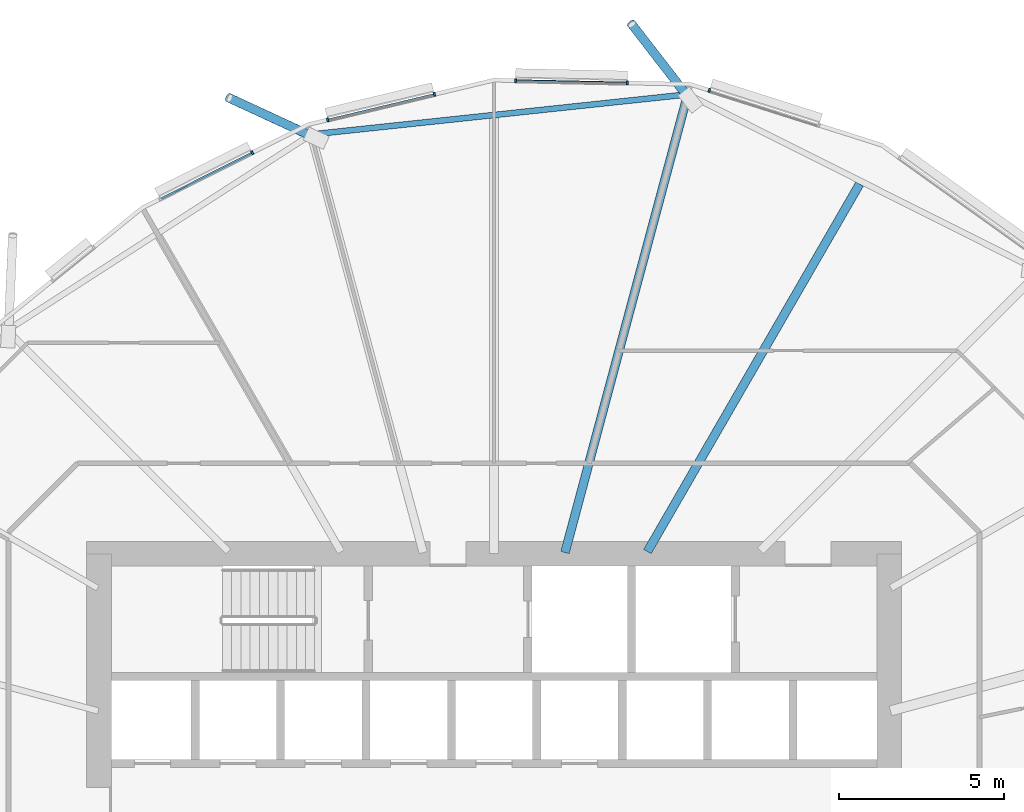
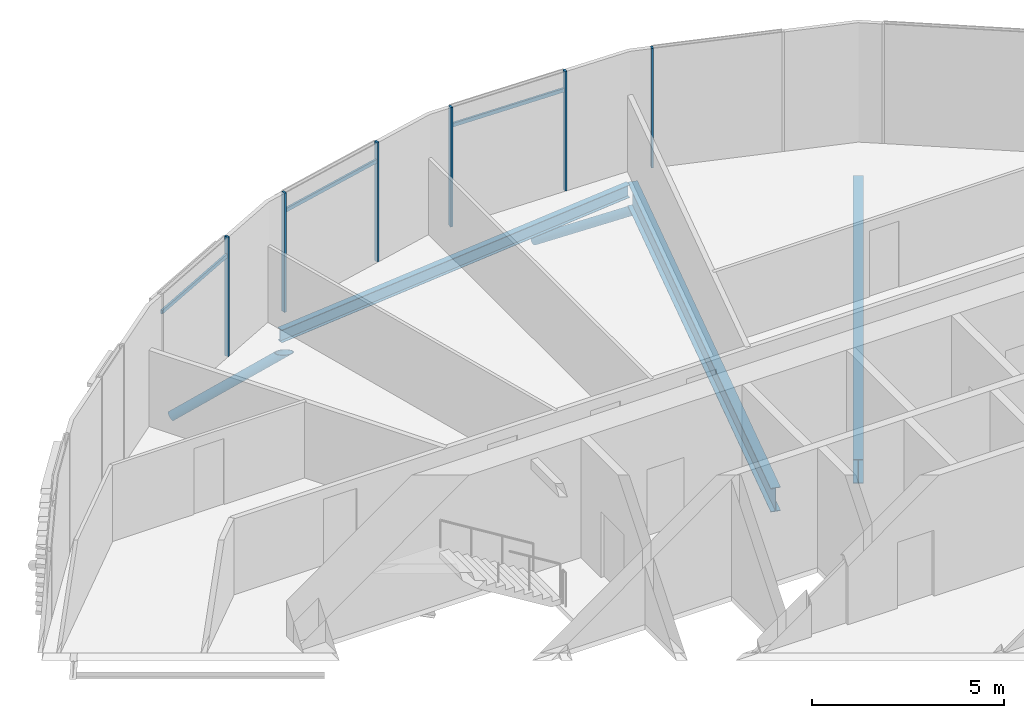
# One storey, part 18 of 42: 11 members, 3 beams, 1 element without a shape of its own.
"""IFC4 building model written with IfcOpenShell, lengths in metres."""

from ifc_helpers import new_model, si_unit, direction, frame, origin, origin_2d, place, context, subcontext, project, spatial, rectangle, hollow_circle, i_section, extrude, clip, halfspace, material, material_profile, profile_set, type_object, element, aggregate, save


model = new_model("IFC4")

# Units and contexts
model_context = context("Model", 3, precision=1e-05, world=origin(), true_north=direction((0.0, 1.0)))
body_context = subcontext(model_context, "Body", "Model", "MODEL_VIEW")
ifc_project = project(units=[si_unit("LENGTHUNIT", "METRE"), si_unit("AREAUNIT", "SQUARE_METRE"), si_unit("VOLUMEUNIT", "CUBIC_METRE"), si_unit("PLANEANGLEUNIT", "RADIAN"), si_unit("MASSUNIT", "GRAM", prefix="KILO")], contexts=[model_context])

# Site, building, storey
site_placement = place(None, origin())
site = spatial("IfcSite", under=ifc_project, at=site_placement, CompositionType="ELEMENT")
building_placement = place(site_placement, origin())
building = spatial("IfcBuilding", under=site, at=building_placement, Name="Rimbun Link Towers", CompositionType="ELEMENT")
storey_placement = place(building_placement, frame((0.0, 0.0, 85.39990234375)))
storey = spatial("IfcBuildingStorey", under=building, at=storey_placement, Name="L20", CompositionType="ELEMENT", Elevation=85.39990234375)

# Curtain wall, members
ifc_material_1 = material(Name="Aluminium 6063-T6 and low-iron glass", Category="aluminium")
curtain_wall_type = type_object("IfcCurtainWallType", Name="CW1-Z2 unitised vision wall (zone 2)", PredefinedType="NOTDEFINED", material=ifc_material_1)
curtain_wall_placement = place(storey_placement, origin())
curtain_wall = element("IfcCurtainWall", 1, at=curtain_wall_placement, inside=storey, type_object=curtain_wall_type, Name="CW1 L20 T2", PredefinedType="NOTDEFINED")
ifc_material_2 = material(Name="Aluminium 6063-T6", Category="aluminium")
ifc_material_profile_1 = material_profile(ifc_material_2, rectangle(XDim=0.1201171875, YDim=0.06005859375, at=origin_2d()), Name="MULLION 60X120")
ifc_profile_set_1 = profile_set([ifc_material_profile_1], Name="Aluminium 6063-T6")
member_type_1 = type_object("IfcMemberType", Name="CW1 mullion 60X120", PredefinedType="MULLION", material=ifc_profile_set_1)
member_1_placement = place(storey_placement, frame((38.289306640625, 22.078369140625, 0.0), z_axis=(0.0, 0.0, 1.0), x_axis=(0.303070142328, 0.952968251743, 0.0)))
member_1 = element("IfcMember", 2, at=member_1_placement, type_object=member_type_1, Name="CW1 mullion", PredefinedType="MULLION", context=body_context, shape_type="SweptSolid", body=[
    extrude(rectangle(XDim=0.1201171875, YDim=0.06005859375, at=origin_2d()), origin(), (0.0, 0.0, 1.0), 3.800048828125),
])
member_2_placement = place(storey_placement, frame((32.401123046875, 22.37451171875, 0.0), z_axis=(0.0, 0.0, 1.0), x_axis=(0.02105663171, 0.999778284552, 0.0)))
member_2 = element("IfcMember", 3, at=member_2_placement, type_object=member_type_1, Name="CW1 mullion", PredefinedType="MULLION", context=body_context, shape_type="SweptSolid", body=[
    extrude(rectangle(XDim=0.1201171875, YDim=0.06005859375, at=origin_2d()), origin(), (0.0, 0.0, 1.0), 3.800048828125),
])
member_3_placement = place(storey_placement, frame((35.801025390625, 22.302978515625, 0.0), z_axis=(0.0, 0.0, 1.0), x_axis=(0.02105663171, 0.999778284552, 0.0)))
member_3 = element("IfcMember", 4, at=member_3_placement, type_object=member_type_1, Name="CW1 mullion", PredefinedType="MULLION", context=body_context, shape_type="SweptSolid", body=[
    extrude(rectangle(XDim=0.1201171875, YDim=0.06005859375, at=origin_2d()), origin(), (0.0, 0.0, 1.0), 3.800048828125),
])
member_4_placement = place(storey_placement, frame((26.697021484375, 21.181640625, 0.0), z_axis=(0.0, 0.0, 1.0), x_axis=(-0.232583884072, 0.972576339867, 0.0)))
member_4 = element("IfcMember", 5, at=member_4_placement, type_object=member_type_1, Name="CW1 mullion", PredefinedType="MULLION", context=body_context, shape_type="SweptSolid", body=[
    extrude(rectangle(XDim=0.1201171875, YDim=0.06005859375, at=origin_2d()), origin(), (0.0, 0.0, 1.0), 3.800048828125),
])
member_5_placement = place(storey_placement, frame((29.936767578125, 21.956298828125, 0.0), z_axis=(0.0, 0.0, 1.0), x_axis=(-0.232583884072, 0.972576339867, 0.0)))
member_5 = element("IfcMember", 6, at=member_5_placement, type_object=member_type_1, Name="CW1 mullion", PredefinedType="MULLION", context=body_context, shape_type="SweptSolid", body=[
    extrude(rectangle(XDim=0.1201171875, YDim=0.06005859375, at=origin_2d()), origin(), (0.0, 0.0, 1.0), 3.800048828125),
])
member_6_placement = place(storey_placement, frame((24.402587890625, 20.1845703125, 0.0), z_axis=(0.0, 0.0, 1.0), x_axis=(-0.448789594585, 0.893637454336, 0.0)))
member_6 = element("IfcMember", 7, at=member_6_placement, type_object=member_type_1, Name="CW1 mullion", PredefinedType="MULLION", context=body_context, shape_type="SweptSolid", body=[
    extrude(rectangle(XDim=0.1201171875, YDim=0.06005859375, at=origin_2d()), origin(), (0.0, 0.0, 1.0), 3.800048828125),
])
ifc_material_3 = material(Name="Aluminium 6063-T6", Category="aluminium")
ifc_material_profile_2 = material_profile(ifc_material_3, rectangle(XDim=0.06005859375, YDim=0.1201171875, at=origin_2d()), Name="TRANSOM 60X120")
ifc_profile_set_2 = profile_set([ifc_material_profile_2], Name="Aluminium 6063-T6")
member_type_2 = type_object("IfcMemberType", Name="CW1 transom 60X120", PredefinedType="USERDEFINED", material=ifc_profile_set_2)
member_7_placement = place(storey_placement, frame((32.43115234375, 22.3720703125, 3.2001953125), z_axis=(0.99977692641, -0.021121018401, 0.0), x_axis=(0.021121018401, 0.99977692641, 0.0)))
member_7 = element("IfcMember", 8, at=member_7_placement, type_object=member_type_2, Name="CW1 transom", ObjectType="TRANSOM", PredefinedType="USERDEFINED", context=body_context, shape_type="SweptSolid", body=[
    extrude(rectangle(XDim=0.06005859375, YDim=0.1201171875, at=origin_2d()), origin(), (0.0, 0.0, 1.0), 3.340576171875),
])
member_8_placement = place(storey_placement, frame((26.7265625, 21.1865234375, 3.2001953125), z_axis=(0.972563842584, 0.2326361367, 0.0), x_axis=(-0.2326361367, 0.972563842584, 0.0)))
member_8 = element("IfcMember", 9, at=member_8_placement, type_object=member_type_2, Name="CW1 transom", ObjectType="TRANSOM", PredefinedType="USERDEFINED", context=body_context, shape_type="SweptSolid", body=[
    extrude(rectangle(XDim=0.06005859375, YDim=0.1201171875, at=origin_2d()), origin(), (0.0, 0.0, 1.0), 3.271240234375),
])
member_9_placement = place(storey_placement, frame((21.63134765625, 18.790771484375, 3.2001953125), z_axis=(0.893647022727, 0.448770541337, 0.0), x_axis=(-0.448770541337, 0.893647022727, 0.0)))
member_9 = element("IfcMember", 10, at=member_9_placement, type_object=member_type_2, Name="CW1 transom", ObjectType="TRANSOM", PredefinedType="USERDEFINED", context=body_context, shape_type="SweptSolid", body=[
    extrude(rectangle(XDim=0.06005859375, YDim=0.1201171875, at=origin_2d()), origin(), (0.0, 0.0, 1.0), 3.072021484375),
])
aggregate(curtain_wall, [member_1, member_2, member_3, member_4, member_5, member_6, member_7, member_8, member_9])

# Members
ifc_material_4 = material(Name="Steel S355J2H", Category="steel")
ifc_material_profile_3 = material_profile(ifc_material_4, hollow_circle(Radius=0.136474609375, WallThickness=0.012451171875, at=origin_2d()), Name="CHS 273x12.5")
ifc_profile_set_3 = profile_set([ifc_material_profile_3], Name="Steel S355J2H")
member_type_3 = type_object("IfcMemberType", Name="Floor edge link CHS 273x12.5", PredefinedType="BRACE", material=ifc_profile_set_3)
member_10_placement = place(storey_placement, frame((37.61962890625, 21.906005859375, -1.038818359375), z_axis=(-0.522786095955, 0.675536141137, -0.519947708807), x_axis=(-0.790842484418, -0.612019742198, 0.0)))
element("IfcMember", 11, at=member_10_placement, inside=storey, type_object=member_type_3, Name="Floor edge link T2 L20 02", PredefinedType="BRACE", context=body_context, shape_type="Clipping", body=[
    clip(extrude(hollow_circle(Radius=0.136474609375, WallThickness=0.012451171875, at=origin_2d()), frame((0.0, 0.0, -0.4677734375)), (0.0, 0.0, 1.0), 3.736328125), halfspace(frame((0.0, 0.0, -0.220703125), z_axis=(0.0, 0.854198091842, -0.519947708807)), False)),
])
member_11_placement = place(storey_placement, frame((26.206298828125, 20.688720703125, -0.95947265625), z_axis=(-0.770603756283, 0.356704528051, -0.52813987775), x_axis=(-0.420068803626, -0.907492259042, 0.0)))
element("IfcMember", 12, at=member_11_placement, inside=storey, type_object=member_type_3, Name="Floor edge link T2 L20 04", PredefinedType="BRACE", context=body_context, shape_type="Clipping", body=[
    clip(extrude(hollow_circle(Radius=0.136474609375, WallThickness=0.012451171875, at=origin_2d()), frame((0.0, 0.0, -0.4580078125)), (0.0, 0.0, 1.0), 3.740478515625), halfspace(frame((0.0, 0.0, -0.216064453125), z_axis=(0.0, 0.849157387962, -0.52813987775)), False)),
])

# Beams
ifc_material_5 = material(Name="Steel S355J2", Category="steel")
ifc_material_profile_4 = material_profile(ifc_material_5, i_section(OverallWidth=0.177978515625, OverallDepth=0.406494140625, WebThickness=0.0078125, FlangeThickness=0.0126953125, at=origin_2d()), Name="UB 406x178x60")
ifc_profile_set_4 = profile_set([ifc_material_profile_4], Name="Steel S355J2")
beam_type_1 = type_object("IfcBeamType", Name="UB 406x178x60", PredefinedType="BEAM", material=ifc_profile_set_4)
beam_1_placement = place(storey_placement, frame((37.489501953125, 21.939208984375, -0.363037109375), z_axis=(-0.994384484621, -0.105827674759, 0.0), x_axis=(0.105827674759, -0.994384484621, 0.0)))
element("IfcBeam", 13, at=beam_1_placement, inside=storey, type_object=beam_type_1, Name="Edge beam T2 L20 02-04", PredefinedType="BEAM", context=body_context, shape_type="SweptSolid", body=[
    extrude(i_section(OverallWidth=0.177978515625, OverallDepth=0.406494140625, WebThickness=0.0078125, FlangeThickness=0.0126953125, at=origin_2d()), origin(), (0.0, 0.0, 1.0), 11.230224609375),
])
ifc_material_6 = material(Name="Steel S355J2", Category="steel")
ifc_material_profile_5 = material_profile(ifc_material_6, i_section(OverallWidth=0.2666015625, OverallDepth=0.76220703125, WebThickness=0.014404296875, FlangeThickness=0.021484375, at=origin_2d()), Name="UB 762x267x173")
ifc_profile_set_5 = profile_set([ifc_material_profile_5], Name="Steel S355J2")
beam_type_2 = type_object("IfcBeamType", Name="UB 762x267x173", PredefinedType="BEAM", material=ifc_profile_set_5)
beam_2_placement = place(storey_placement, frame((36.40771484375, 8.0673828125, -0.541015625), z_axis=(0.500006572533, 0.866021609098, 0.0), x_axis=(-0.866021609098, 0.500006572533, 0.0)))
element("IfcBeam", 14, at=beam_2_placement, inside=storey, type_object=beam_type_2, Name="Radial beam T2 L20 01", PredefinedType="BEAM", context=body_context, shape_type="SweptSolid", body=[
    extrude(i_section(OverallWidth=0.2666015625, OverallDepth=0.76220703125, WebThickness=0.014404296875, FlangeThickness=0.021484375, at=origin_2d()), origin(), (0.0, 0.0, 1.0), 12.892822265625),
])
beam_3_placement = place(storey_placement, frame((33.903076171875, 8.035400390625, -0.541015625), z_axis=(0.258813996805, 0.965927178962, 0.0), x_axis=(-0.965927178962, 0.258813996805, 0.0)))
element("IfcBeam", 15, at=beam_3_placement, inside=storey, type_object=beam_type_2, Name="Radial beam T2 L20 02", PredefinedType="BEAM", context=body_context, shape_type="SweptSolid", body=[
    extrude(i_section(OverallWidth=0.2666015625, OverallDepth=0.76220703125, WebThickness=0.014404296875, FlangeThickness=0.021484375, at=origin_2d()), origin(), (0.0, 0.0, 1.0), 14.409912109375),
])

save(model, "model.ifc")
